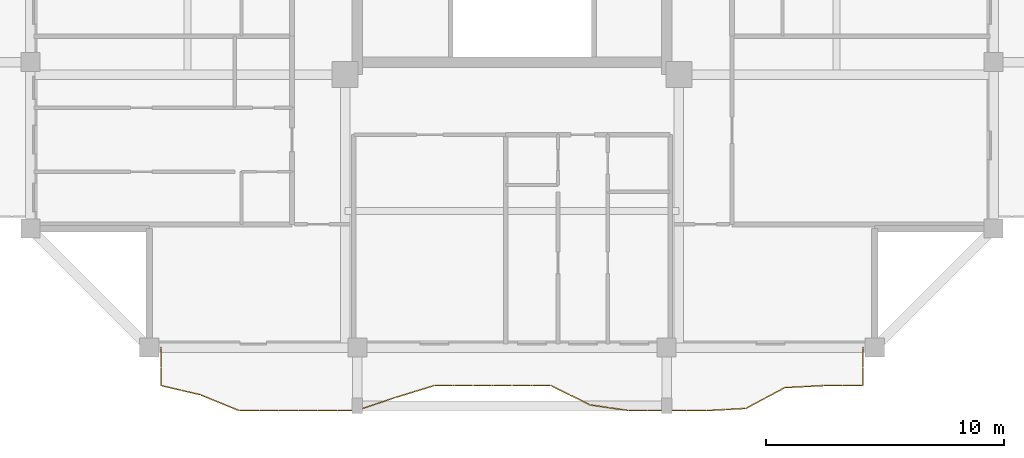
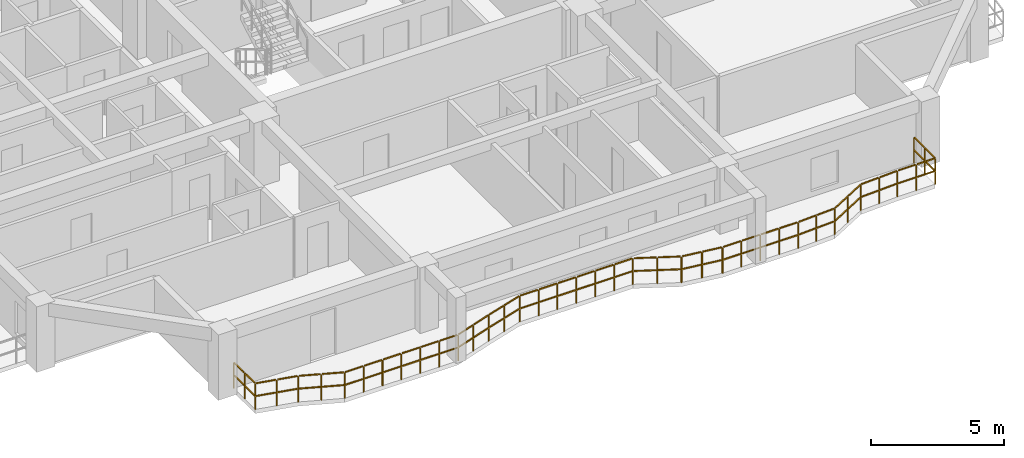
# One storey, part 9 of 13: 1 railing.
"""IFC4 building model written with IfcOpenShell, lengths in metres."""

from ifc_helpers import new_model, si_unit, direction, frame, origin, origin_2d, place, context, subcontext, project, spatial, rectangle, extrude, material, type_object, element, save


model = new_model("IFC4")

# Units and contexts
model_context = context("Model", 3, precision=1e-05, world=origin(), true_north=direction((0.0, 1.0)))
body_context = subcontext(model_context, "Body", "Model", "MODEL_VIEW")
ifc_project = project(units=[si_unit("LENGTHUNIT", "METRE"), si_unit("AREAUNIT", "SQUARE_METRE"), si_unit("VOLUMEUNIT", "CUBIC_METRE"), si_unit("PLANEANGLEUNIT", "RADIAN"), si_unit("MASSUNIT", "GRAM", prefix="KILO")], contexts=[model_context])

# Site, building, storey
site_placement = place(None, origin())
site = spatial("IfcSite", under=ifc_project, at=site_placement, CompositionType="ELEMENT")
building_placement = place(site_placement, origin())
building = spatial("IfcBuilding", under=site, at=building_placement, Name="Saelheon Loggia Tower", CompositionType="ELEMENT")
storey_placement = place(building_placement, frame((0.0, 0.0, 189.699951171875)))
storey = spatial("IfcBuildingStorey", under=building, at=storey_placement, Name="L59", CompositionType="ELEMENT", Elevation=189.699951171875)

# Railing
ifc_material = material(Name="Architectural Precast Concrete and Laminated Glass Guard", Category="concrete")
railing_type = type_object("IfcRailingType", Name="Guard_Loggia_RL_LOG", PredefinedType="BALUSTRADE", material=ifc_material)
railing_placement = place(storey_placement, frame((23.25, 6.0, 0.0)))
element("IfcRailing", 1, at=railing_placement, inside=storey, type_object=railing_type, Name="L59 South Loggia Balustrade", PredefinedType="BALUSTRADE", context=body_context, shape_type="SweptSolid", body=[
    extrude(rectangle(XDim=0.048095703125, YDim=0.048095703125, at=origin_2d()), frame((0.0, -0.033203125, 1.19580078125), z_axis=(0.0, -1.0, 0.0), x_axis=(1.0, 0.0, 0.0)), (0.0, 0.0, 1.0), 0.733642578125),
    extrude(rectangle(XDim=0.048095703125, YDim=0.048095703125, at=origin_2d()), frame((0.0, -0.033203125, 0.60986328125), z_axis=(0.0, -1.0, 0.0), x_axis=(1.0, 0.0, 0.0)), (0.0, 0.0, 1.0), 0.733642578125),
    extrude(rectangle(XDim=0.048095703125, YDim=0.048095703125, at=origin_2d()), frame((0.0, -0.833251953125, 1.19580078125), z_axis=(0.0, -1.0, 0.0), x_axis=(1.0, 0.0, 0.0)), (0.0, 0.0, 1.0), 0.733642578125),
    extrude(rectangle(XDim=0.048095703125, YDim=0.048095703125, at=origin_2d()), frame((0.0, -0.833251953125, 0.60986328125), z_axis=(0.0, -1.0, 0.0), x_axis=(1.0, 0.0, 0.0)), (0.0, 0.0, 1.0), 0.733642578125),
    extrude(rectangle(XDim=0.048095703125, YDim=0.048095703125, at=origin_2d()), frame((0.032470703125, -1.607666015625, 1.19580078125), z_axis=(0.974013237942, -0.226491086612, 0.0), x_axis=(0.226491086612, 0.974013237942, 0.0)), (0.0, 0.0, 1.0), 0.77490234375),
    extrude(rectangle(XDim=0.048095703125, YDim=0.048095703125, at=origin_2d()), frame((0.032470703125, -1.607666015625, 0.60986328125), z_axis=(0.974013237942, -0.226491086612, 0.0), x_axis=(0.226491086612, 0.974013237942, 0.0)), (0.0, 0.0, 1.0), 0.77490234375),
    extrude(rectangle(XDim=0.048095703125, YDim=0.048095703125, at=origin_2d()), frame((0.851806640625, -1.798095703125, 1.19580078125), z_axis=(0.974013237942, -0.226491086612, 0.0), x_axis=(0.226491086612, 0.974013237942, 0.0)), (0.0, 0.0, 1.0), 0.77490234375),
    extrude(rectangle(XDim=0.048095703125, YDim=0.048095703125, at=origin_2d()), frame((0.851806640625, -1.798095703125, 0.60986328125), z_axis=(0.974013237942, -0.226491086612, 0.0), x_axis=(0.226491086612, 0.974013237942, 0.0)), (0.0, 0.0, 1.0), 0.77490234375),
    extrude(rectangle(XDim=0.048095703125, YDim=0.048095703125, at=origin_2d()), frame((1.669677734375, -1.99365234375, 1.19580078125), z_axis=(0.925895892942, -0.377778765197, 0.0), x_axis=(0.377778765197, 0.925895892942, 0.0)), (0.0, 0.0, 1.0), 0.818603515625),
    extrude(rectangle(XDim=0.048095703125, YDim=0.048095703125, at=origin_2d()), frame((1.669677734375, -1.99365234375, 0.60986328125), z_axis=(0.925895892942, -0.377778765197, 0.0), x_axis=(0.377778765197, 0.925895892942, 0.0)), (0.0, 0.0, 1.0), 0.818603515625),
    extrude(rectangle(XDim=0.048095703125, YDim=0.048095703125, at=origin_2d()), frame((2.4892578125, -2.328125, 1.19580078125), z_axis=(0.925895892942, -0.377778765197, 0.0), x_axis=(0.377778765197, 0.925895892942, 0.0)), (0.0, 0.0, 1.0), 0.818603515625),
    extrude(rectangle(XDim=0.048095703125, YDim=0.048095703125, at=origin_2d()), frame((2.4892578125, -2.328125, 0.60986328125), z_axis=(0.925895892942, -0.377778765197, 0.0), x_axis=(0.377778765197, 0.925895892942, 0.0)), (0.0, 0.0, 1.0), 0.818603515625),
    extrude(rectangle(XDim=0.048095703125, YDim=0.048095703125, at=origin_2d()), frame((3.31103515625, -2.64990234375, 1.19580078125), z_axis=(1.0, 0.0, 0.0), x_axis=(0.0, 1.0, 0.0)), (0.0, 0.0, 1.0), 0.7529296875),
    extrude(rectangle(XDim=0.048095703125, YDim=0.048095703125, at=origin_2d()), frame((3.31103515625, -2.64990234375, 0.60986328125), z_axis=(1.0, 0.0, 0.0), x_axis=(0.0, 1.0, 0.0)), (0.0, 0.0, 1.0), 0.7529296875),
    extrude(rectangle(XDim=0.048095703125, YDim=0.048095703125, at=origin_2d()), frame((4.130615234375, -2.64990234375, 1.19580078125), z_axis=(1.0, 0.0, 0.0), x_axis=(0.0, 1.0, 0.0)), (0.0, 0.0, 1.0), 0.7529296875),
    extrude(rectangle(XDim=0.048095703125, YDim=0.048095703125, at=origin_2d()), frame((4.130615234375, -2.64990234375, 0.60986328125), z_axis=(1.0, 0.0, 0.0), x_axis=(0.0, 1.0, 0.0)), (0.0, 0.0, 1.0), 0.7529296875),
    extrude(rectangle(XDim=0.048095703125, YDim=0.048095703125, at=origin_2d()), frame((4.949951171875, -2.64990234375, 1.19580078125), z_axis=(1.0, 0.0, 0.0), x_axis=(0.0, 1.0, 0.0)), (0.0, 0.0, 1.0), 0.7529296875),
    extrude(rectangle(XDim=0.048095703125, YDim=0.048095703125, at=origin_2d()), frame((4.949951171875, -2.64990234375, 0.60986328125), z_axis=(1.0, 0.0, 0.0), x_axis=(0.0, 1.0, 0.0)), (0.0, 0.0, 1.0), 0.7529296875),
    extrude(rectangle(XDim=0.048095703125, YDim=0.048095703125, at=origin_2d()), frame((5.76953125, -2.64990234375, 1.19580078125), z_axis=(1.0, 0.0, 0.0), x_axis=(0.0, 1.0, 0.0)), (0.0, 0.0, 1.0), 0.7529296875),
    extrude(rectangle(XDim=0.048095703125, YDim=0.048095703125, at=origin_2d()), frame((5.76953125, -2.64990234375, 0.60986328125), z_axis=(1.0, 0.0, 0.0), x_axis=(0.0, 1.0, 0.0)), (0.0, 0.0, 1.0), 0.7529296875),
    extrude(rectangle(XDim=0.048095703125, YDim=0.048095703125, at=origin_2d()), frame((6.5888671875, -2.64990234375, 1.19580078125), z_axis=(1.0, 0.0, 0.0), x_axis=(0.0, 1.0, 0.0)), (0.0, 0.0, 1.0), 0.7529296875),
    extrude(rectangle(XDim=0.048095703125, YDim=0.048095703125, at=origin_2d()), frame((6.5888671875, -2.64990234375, 0.60986328125), z_axis=(1.0, 0.0, 0.0), x_axis=(0.0, 1.0, 0.0)), (0.0, 0.0, 1.0), 0.7529296875),
    extrude(rectangle(XDim=0.048095703125, YDim=0.048095703125, at=origin_2d()), frame((7.408203125, -2.64990234375, 1.19580078125), z_axis=(1.0, 0.0, 0.0), x_axis=(0.0, 1.0, 0.0)), (0.0, 0.0, 1.0), 0.7529296875),
    extrude(rectangle(XDim=0.048095703125, YDim=0.048095703125, at=origin_2d()), frame((7.408203125, -2.64990234375, 0.60986328125), z_axis=(1.0, 0.0, 0.0), x_axis=(0.0, 1.0, 0.0)), (0.0, 0.0, 1.0), 0.7529296875),
    extrude(rectangle(XDim=0.048095703125, YDim=0.048095703125, at=origin_2d()), frame((8.225830078125, -2.639404296875, 1.19580078125), z_axis=(0.948881001974, 0.315634035067, 0.0), x_axis=(-0.315634035067, 0.948881001974, 0.0)), (0.0, 0.0, 1.0), 0.797119140625),
    extrude(rectangle(XDim=0.048095703125, YDim=0.048095703125, at=origin_2d()), frame((8.225830078125, -2.639404296875, 0.60986328125), z_axis=(0.948881001974, 0.315634035067, 0.0), x_axis=(-0.315634035067, 0.948881001974, 0.0)), (0.0, 0.0, 1.0), 0.797119140625),
    extrude(rectangle(XDim=0.048095703125, YDim=0.048095703125, at=origin_2d()), frame((9.04541015625, -2.366943359375, 1.19580078125), z_axis=(0.948881001974, 0.315634035067, 0.0), x_axis=(-0.315634035067, 0.948881001974, 0.0)), (0.0, 0.0, 1.0), 0.797119140625),
    extrude(rectangle(XDim=0.048095703125, YDim=0.048095703125, at=origin_2d()), frame((9.04541015625, -2.366943359375, 0.60986328125), z_axis=(0.948881001974, 0.315634035067, 0.0), x_axis=(-0.315634035067, 0.948881001974, 0.0)), (0.0, 0.0, 1.0), 0.797119140625),
    extrude(rectangle(XDim=0.048095703125, YDim=0.048095703125, at=origin_2d()), frame((9.864990234375, -2.094970703125, 1.19580078125), z_axis=(0.955720503255, 0.29427592436, 0.0), x_axis=(-0.29427592436, 0.955720503255, 0.0)), (0.0, 0.0, 1.0), 0.791015625),
    extrude(rectangle(XDim=0.048095703125, YDim=0.048095703125, at=origin_2d()), frame((9.864990234375, -2.094970703125, 0.60986328125), z_axis=(0.955720503255, 0.29427592436, 0.0), x_axis=(-0.29427592436, 0.955720503255, 0.0)), (0.0, 0.0, 1.0), 0.791015625),
    extrude(rectangle(XDim=0.048095703125, YDim=0.048095703125, at=origin_2d()), frame((10.6845703125, -1.842529296875, 1.19580078125), z_axis=(0.955720503255, 0.29427592436, 0.0), x_axis=(-0.29427592436, 0.955720503255, 0.0)), (0.0, 0.0, 1.0), 0.791015625),
    extrude(rectangle(XDim=0.048095703125, YDim=0.048095703125, at=origin_2d()), frame((10.6845703125, -1.842529296875, 0.60986328125), z_axis=(0.955720503255, 0.29427592436, 0.0), x_axis=(-0.29427592436, 0.955720503255, 0.0)), (0.0, 0.0, 1.0), 0.791015625),
    extrude(rectangle(XDim=0.048095703125, YDim=0.048095703125, at=origin_2d()), frame((11.50537109375, -1.60009765625, 1.19580078125), z_axis=(1.0, 0.0, 0.0), x_axis=(0.0, 1.0, 0.0)), (0.0, 0.0, 1.0), 0.7529296875),
    extrude(rectangle(XDim=0.048095703125, YDim=0.048095703125, at=origin_2d()), frame((11.50537109375, -1.60009765625, 0.60986328125), z_axis=(1.0, 0.0, 0.0), x_axis=(0.0, 1.0, 0.0)), (0.0, 0.0, 1.0), 0.7529296875),
    extrude(rectangle(XDim=0.048095703125, YDim=0.048095703125, at=origin_2d()), frame((12.324951171875, -1.60009765625, 1.19580078125), z_axis=(1.0, 0.0, 0.0), x_axis=(0.0, 1.0, 0.0)), (0.0, 0.0, 1.0), 0.7529296875),
    extrude(rectangle(XDim=0.048095703125, YDim=0.048095703125, at=origin_2d()), frame((12.324951171875, -1.60009765625, 0.60986328125), z_axis=(1.0, 0.0, 0.0), x_axis=(0.0, 1.0, 0.0)), (0.0, 0.0, 1.0), 0.7529296875),
    extrude(rectangle(XDim=0.048095703125, YDim=0.048095703125, at=origin_2d()), frame((13.144287109375, -1.60009765625, 1.19580078125), z_axis=(1.0, 0.0, 0.0), x_axis=(0.0, 1.0, 0.0)), (0.0, 0.0, 1.0), 0.7529296875),
    extrude(rectangle(XDim=0.048095703125, YDim=0.048095703125, at=origin_2d()), frame((13.144287109375, -1.60009765625, 0.60986328125), z_axis=(1.0, 0.0, 0.0), x_axis=(0.0, 1.0, 0.0)), (0.0, 0.0, 1.0), 0.7529296875),
    extrude(rectangle(XDim=0.048095703125, YDim=0.048095703125, at=origin_2d()), frame((13.9638671875, -1.60009765625, 1.19580078125), z_axis=(1.0, 0.0, 0.0), x_axis=(0.0, 1.0, 0.0)), (0.0, 0.0, 1.0), 0.7529296875),
    extrude(rectangle(XDim=0.048095703125, YDim=0.048095703125, at=origin_2d()), frame((13.9638671875, -1.60009765625, 0.60986328125), z_axis=(1.0, 0.0, 0.0), x_axis=(0.0, 1.0, 0.0)), (0.0, 0.0, 1.0), 0.7529296875),
    extrude(rectangle(XDim=0.048095703125, YDim=0.048095703125, at=origin_2d()), frame((14.783203125, -1.60009765625, 1.19580078125), z_axis=(1.0, 0.0, 0.0), x_axis=(0.0, 1.0, 0.0)), (0.0, 0.0, 1.0), 0.7529296875),
    extrude(rectangle(XDim=0.048095703125, YDim=0.048095703125, at=origin_2d()), frame((14.783203125, -1.60009765625, 0.60986328125), z_axis=(1.0, 0.0, 0.0), x_axis=(0.0, 1.0, 0.0)), (0.0, 0.0, 1.0), 0.7529296875),
    extrude(rectangle(XDim=0.048095703125, YDim=0.048095703125, at=origin_2d()), frame((15.602783203125, -1.60009765625, 1.19580078125), z_axis=(1.0, 0.0, 0.0), x_axis=(0.0, 1.0, 0.0)), (0.0, 0.0, 1.0), 0.7529296875),
    extrude(rectangle(XDim=0.048095703125, YDim=0.048095703125, at=origin_2d()), frame((15.602783203125, -1.60009765625, 0.60986328125), z_axis=(1.0, 0.0, 0.0), x_axis=(0.0, 1.0, 0.0)), (0.0, 0.0, 1.0), 0.7529296875),
    extrude(rectangle(XDim=0.048095703125, YDim=0.048095703125, at=origin_2d()), frame((16.418701171875, -1.61474609375, 1.19580078125), z_axis=(0.896898457254, -0.442236540073, 0.0), x_axis=(0.442236540073, 0.896898457254, 0.0)), (0.0, 0.0, 1.0), 0.84716796875),
    extrude(rectangle(XDim=0.048095703125, YDim=0.048095703125, at=origin_2d()), frame((16.418701171875, -1.61474609375, 0.60986328125), z_axis=(0.896898457254, -0.442236540073, 0.0), x_axis=(0.442236540073, 0.896898457254, 0.0)), (0.0, 0.0, 1.0), 0.84716796875),
    extrude(rectangle(XDim=0.048095703125, YDim=0.048095703125, at=origin_2d()), frame((17.23828125, -2.018798828125, 1.19580078125), z_axis=(0.896898457254, -0.442236540073, 0.0), x_axis=(0.442236540073, 0.896898457254, 0.0)), (0.0, 0.0, 1.0), 0.84716796875),
    extrude(rectangle(XDim=0.048095703125, YDim=0.048095703125, at=origin_2d()), frame((17.23828125, -2.018798828125, 0.60986328125), z_axis=(0.896898457254, -0.442236540073, 0.0), x_axis=(0.442236540073, 0.896898457254, 0.0)), (0.0, 0.0, 1.0), 0.84716796875),
    extrude(rectangle(XDim=0.048095703125, YDim=0.048095703125, at=origin_2d()), frame((18.060791015625, -2.4130859375, 1.19580078125), z_axis=(0.989299780528, -0.145897033029, 0.0), x_axis=(0.145897033029, 0.989299780528, 0.0)), (0.0, 0.0, 1.0), 0.761962890625),
    extrude(rectangle(XDim=0.048095703125, YDim=0.048095703125, at=origin_2d()), frame((18.060791015625, -2.4130859375, 0.60986328125), z_axis=(0.989299780528, -0.145897033029, 0.0), x_axis=(0.145897033029, 0.989299780528, 0.0)), (0.0, 0.0, 1.0), 0.761962890625),
    extrude(rectangle(XDim=0.048095703125, YDim=0.048095703125, at=origin_2d()), frame((18.880126953125, -2.533935546875, 1.19580078125), z_axis=(0.989299780528, -0.145897033029, 0.0), x_axis=(0.145897033029, 0.989299780528, 0.0)), (0.0, 0.0, 1.0), 0.761962890625),
    extrude(rectangle(XDim=0.048095703125, YDim=0.048095703125, at=origin_2d()), frame((18.880126953125, -2.533935546875, 0.60986328125), z_axis=(0.989299780528, -0.145897033029, 0.0), x_axis=(0.145897033029, 0.989299780528, 0.0)), (0.0, 0.0, 1.0), 0.761962890625),
    extrude(rectangle(XDim=0.048095703125, YDim=0.048095703125, at=origin_2d()), frame((19.699951171875, -2.64990234375, 1.19580078125), z_axis=(1.0, 0.0, 0.0), x_axis=(0.0, 1.0, 0.0)), (0.0, 0.0, 1.0), 0.7529296875),
    extrude(rectangle(XDim=0.048095703125, YDim=0.048095703125, at=origin_2d()), frame((19.699951171875, -2.64990234375, 0.60986328125), z_axis=(1.0, 0.0, 0.0), x_axis=(0.0, 1.0, 0.0)), (0.0, 0.0, 1.0), 0.7529296875),
    extrude(rectangle(XDim=0.048095703125, YDim=0.048095703125, at=origin_2d()), frame((20.51953125, -2.64990234375, 1.19580078125), z_axis=(1.0, 0.0, 0.0), x_axis=(0.0, 1.0, 0.0)), (0.0, 0.0, 1.0), 0.7529296875),
    extrude(rectangle(XDim=0.048095703125, YDim=0.048095703125, at=origin_2d()), frame((20.51953125, -2.64990234375, 0.60986328125), z_axis=(1.0, 0.0, 0.0), x_axis=(0.0, 1.0, 0.0)), (0.0, 0.0, 1.0), 0.7529296875),
    extrude(rectangle(XDim=0.048095703125, YDim=0.048095703125, at=origin_2d()), frame((21.3388671875, -2.64990234375, 1.19580078125), z_axis=(1.0, 0.0, 0.0), x_axis=(0.0, 1.0, 0.0)), (0.0, 0.0, 1.0), 0.7529296875),
    extrude(rectangle(XDim=0.048095703125, YDim=0.048095703125, at=origin_2d()), frame((21.3388671875, -2.64990234375, 0.60986328125), z_axis=(1.0, 0.0, 0.0), x_axis=(0.0, 1.0, 0.0)), (0.0, 0.0, 1.0), 0.7529296875),
    extrude(rectangle(XDim=0.048095703125, YDim=0.048095703125, at=origin_2d()), frame((22.158203125, -2.64990234375, 1.19580078125), z_axis=(1.0, 0.0, 0.0), x_axis=(0.0, 1.0, 0.0)), (0.0, 0.0, 1.0), 0.7529296875),
    extrude(rectangle(XDim=0.048095703125, YDim=0.048095703125, at=origin_2d()), frame((22.158203125, -2.64990234375, 0.60986328125), z_axis=(1.0, 0.0, 0.0), x_axis=(0.0, 1.0, 0.0)), (0.0, 0.0, 1.0), 0.7529296875),
    extrude(rectangle(XDim=0.048095703125, YDim=0.048095703125, at=origin_2d()), frame((22.9775390625, -2.648193359375, 1.19580078125), z_axis=(0.998508934744, 0.054588526598, 0.0), x_axis=(-0.054588526598, 0.998508934744, 0.0)), (0.0, 0.0, 1.0), 0.754150390625),
    extrude(rectangle(XDim=0.048095703125, YDim=0.048095703125, at=origin_2d()), frame((22.9775390625, -2.648193359375, 0.60986328125), z_axis=(0.998508934744, 0.054588526598, 0.0), x_axis=(-0.054588526598, 0.998508934744, 0.0)), (0.0, 0.0, 1.0), 0.754150390625),
    extrude(rectangle(XDim=0.048095703125, YDim=0.048095703125, at=origin_2d()), frame((23.796875, -2.603271484375, 1.19580078125), z_axis=(0.998508934744, 0.054588526598, 0.0), x_axis=(-0.054588526598, 0.998508934744, 0.0)), (0.0, 0.0, 1.0), 0.754150390625),
    extrude(rectangle(XDim=0.048095703125, YDim=0.048095703125, at=origin_2d()), frame((23.796875, -2.603271484375, 0.60986328125), z_axis=(0.998508934744, 0.054588526598, 0.0), x_axis=(-0.054588526598, 0.998508934744, 0.0)), (0.0, 0.0, 1.0), 0.754150390625),
    extrude(rectangle(XDim=0.048095703125, YDim=0.048095703125, at=origin_2d()), frame((24.612548828125, -2.544677734375, 1.19580078125), z_axis=(0.882149151699, 0.47097014147, 0.0), x_axis=(-0.47097014147, 0.882149151699, 0.0)), (0.0, 0.0, 1.0), 0.862548828125),
    extrude(rectangle(XDim=0.048095703125, YDim=0.048095703125, at=origin_2d()), frame((24.612548828125, -2.544677734375, 0.60986328125), z_axis=(0.882149151699, 0.47097014147, 0.0), x_axis=(-0.47097014147, 0.882149151699, 0.0)), (0.0, 0.0, 1.0), 0.862548828125),
    extrude(rectangle(XDim=0.048095703125, YDim=0.048095703125, at=origin_2d()), frame((25.43212890625, -2.107177734375, 1.19580078125), z_axis=(0.882149151699, 0.47097014147, 0.0), x_axis=(-0.47097014147, 0.882149151699, 0.0)), (0.0, 0.0, 1.0), 0.862548828125),
    extrude(rectangle(XDim=0.048095703125, YDim=0.048095703125, at=origin_2d()), frame((25.43212890625, -2.107177734375, 0.60986328125), z_axis=(0.882149151699, 0.47097014147, 0.0), x_axis=(-0.47097014147, 0.882149151699, 0.0)), (0.0, 0.0, 1.0), 0.862548828125),
    extrude(rectangle(XDim=0.048095703125, YDim=0.048095703125, at=origin_2d()), frame((26.25537109375, -1.68359375, 1.19580078125), z_axis=(0.998651321958, 0.051918562694, 0.0), x_axis=(-0.051918562694, 0.998651321958, 0.0)), (0.0, 0.0, 1.0), 0.754150390625),
    extrude(rectangle(XDim=0.048095703125, YDim=0.048095703125, at=origin_2d()), frame((26.25537109375, -1.68359375, 0.60986328125), z_axis=(0.998651321958, 0.051918562694, 0.0), x_axis=(-0.051918562694, 0.998651321958, 0.0)), (0.0, 0.0, 1.0), 0.754150390625),
    extrude(rectangle(XDim=0.048095703125, YDim=0.048095703125, at=origin_2d()), frame((27.07470703125, -1.640869140625, 1.19580078125), z_axis=(0.998651321958, 0.051918562694, 0.0), x_axis=(-0.051918562694, 0.998651321958, 0.0)), (0.0, 0.0, 1.0), 0.754150390625),
    extrude(rectangle(XDim=0.048095703125, YDim=0.048095703125, at=origin_2d()), frame((27.07470703125, -1.640869140625, 0.60986328125), z_axis=(0.998651321958, 0.051918562694, 0.0), x_axis=(-0.051918562694, 0.998651321958, 0.0)), (0.0, 0.0, 1.0), 0.754150390625),
    extrude(rectangle(XDim=0.048095703125, YDim=0.048095703125, at=origin_2d()), frame((27.894287109375, -1.60009765625, 1.19580078125), z_axis=(1.0, 0.0, 0.0), x_axis=(0.0, 1.0, 0.0)), (0.0, 0.0, 1.0), 0.7529296875),
    extrude(rectangle(XDim=0.048095703125, YDim=0.048095703125, at=origin_2d()), frame((27.894287109375, -1.60009765625, 0.60986328125), z_axis=(1.0, 0.0, 0.0), x_axis=(0.0, 1.0, 0.0)), (0.0, 0.0, 1.0), 0.7529296875),
    extrude(rectangle(XDim=0.048095703125, YDim=0.048095703125, at=origin_2d()), frame((28.7138671875, -1.60009765625, 1.19580078125), z_axis=(1.0, 0.0, 0.0), x_axis=(0.0, 1.0, 0.0)), (0.0, 0.0, 1.0), 0.7529296875),
    extrude(rectangle(XDim=0.048095703125, YDim=0.048095703125, at=origin_2d()), frame((28.7138671875, -1.60009765625, 0.60986328125), z_axis=(1.0, 0.0, 0.0), x_axis=(0.0, 1.0, 0.0)), (0.0, 0.0, 1.0), 0.7529296875),
    extrude(rectangle(XDim=0.048095703125, YDim=0.048095703125, at=origin_2d()), frame((29.5, -1.56689453125, 1.19580078125), z_axis=(0.0, 1.0, 0.0), x_axis=(-1.0, 0.0, 0.0)), (0.0, 0.0, 1.0), 0.733642578125),
    extrude(rectangle(XDim=0.048095703125, YDim=0.048095703125, at=origin_2d()), frame((29.5, -1.56689453125, 0.60986328125), z_axis=(0.0, 1.0, 0.0), x_axis=(-1.0, 0.0, 0.0)), (0.0, 0.0, 1.0), 0.733642578125),
    extrude(rectangle(XDim=0.048095703125, YDim=0.048095703125, at=origin_2d()), frame((29.5, -0.766845703125, 1.19580078125), z_axis=(0.0, 1.0, 0.0), x_axis=(-1.0, 0.0, 0.0)), (0.0, 0.0, 1.0), 0.733642578125),
    extrude(rectangle(XDim=0.048095703125, YDim=0.048095703125, at=origin_2d()), frame((29.5, -0.766845703125, 0.60986328125), z_axis=(0.0, 1.0, 0.0), x_axis=(-1.0, 0.0, 0.0)), (0.0, 0.0, 1.0), 0.733642578125),
    extrude(rectangle(XDim=0.0419921875, YDim=0.0419921875, at=origin_2d()), origin(), (0.0, 0.0, 1.0), 1.16796875),
    extrude(rectangle(XDim=0.0419921875, YDim=0.0419921875, at=origin_2d()), frame((0.0, -0.800048828125, 0.0)), (0.0, 0.0, 1.0), 1.16796875),
    extrude(rectangle(XDim=0.0419921875, YDim=0.0419921875, at=origin_2d()), frame((0.0, -1.60009765625, 0.0)), (0.0, 0.0, 1.0), 1.16796875),
    extrude(rectangle(XDim=0.0419921875, YDim=0.0419921875, at=origin_2d()), frame((0.8193359375, -1.79052734375, 0.0)), (0.0, 0.0, 1.0), 1.16796875),
    extrude(rectangle(XDim=0.0419921875, YDim=0.0419921875, at=origin_2d()), frame((1.638916015625, -1.981201171875, 0.0)), (0.0, 0.0, 1.0), 1.16796875),
    extrude(rectangle(XDim=0.0419921875, YDim=0.0419921875, at=origin_2d()), frame((2.45849609375, -2.3154296875, 0.0)), (0.0, 0.0, 1.0), 1.16796875),
    extrude(rectangle(XDim=0.0419921875, YDim=0.0419921875, at=origin_2d()), frame((3.27783203125, -2.64990234375, 0.0)), (0.0, 0.0, 1.0), 1.16796875),
    extrude(rectangle(XDim=0.0419921875, YDim=0.0419921875, at=origin_2d()), frame((4.09716796875, -2.64990234375, 0.0)), (0.0, 0.0, 1.0), 1.16796875),
    extrude(rectangle(XDim=0.0419921875, YDim=0.0419921875, at=origin_2d()), frame((4.916748046875, -2.64990234375, 0.0)), (0.0, 0.0, 1.0), 1.16796875),
    extrude(rectangle(XDim=0.0419921875, YDim=0.0419921875, at=origin_2d()), frame((5.736328125, -2.64990234375, 0.0)), (0.0, 0.0, 1.0), 1.16796875),
    extrude(rectangle(XDim=0.0419921875, YDim=0.0419921875, at=origin_2d()), frame((6.5556640625, -2.64990234375, 0.0)), (0.0, 0.0, 1.0), 1.16796875),
    extrude(rectangle(XDim=0.0419921875, YDim=0.0419921875, at=origin_2d()), frame((7.375, -2.64990234375, 0.0)), (0.0, 0.0, 1.0), 1.16796875),
    extrude(rectangle(XDim=0.0419921875, YDim=0.0419921875, at=origin_2d()), frame((8.1943359375, -2.64990234375, 0.0)), (0.0, 0.0, 1.0), 1.16796875),
    extrude(rectangle(XDim=0.0419921875, YDim=0.0419921875, at=origin_2d()), frame((9.013671875, -2.37744140625, 0.0)), (0.0, 0.0, 1.0), 1.16796875),
    extrude(rectangle(XDim=0.0419921875, YDim=0.0419921875, at=origin_2d()), frame((9.833251953125, -2.104736328125, 0.0)), (0.0, 0.0, 1.0), 1.16796875),
    extrude(rectangle(XDim=0.0419921875, YDim=0.0419921875, at=origin_2d()), frame((10.65283203125, -1.8525390625, 0.0)), (0.0, 0.0, 1.0), 1.16796875),
    extrude(rectangle(XDim=0.0419921875, YDim=0.0419921875, at=origin_2d()), frame((11.47216796875, -1.60009765625, 0.0)), (0.0, 0.0, 1.0), 1.16796875),
    extrude(rectangle(XDim=0.0419921875, YDim=0.0419921875, at=origin_2d()), frame((12.29150390625, -1.60009765625, 0.0)), (0.0, 0.0, 1.0), 1.16796875),
    extrude(rectangle(XDim=0.0419921875, YDim=0.0419921875, at=origin_2d()), frame((13.111083984375, -1.60009765625, 0.0)), (0.0, 0.0, 1.0), 1.16796875),
    extrude(rectangle(XDim=0.0419921875, YDim=0.0419921875, at=origin_2d()), frame((13.9306640625, -1.60009765625, 0.0)), (0.0, 0.0, 1.0), 1.16796875),
    extrude(rectangle(XDim=0.0419921875, YDim=0.0419921875, at=origin_2d()), frame((14.75, -1.60009765625, 0.0)), (0.0, 0.0, 1.0), 1.16796875),
    extrude(rectangle(XDim=0.0419921875, YDim=0.0419921875, at=origin_2d()), frame((15.5693359375, -1.60009765625, 0.0)), (0.0, 0.0, 1.0), 1.16796875),
    extrude(rectangle(XDim=0.0419921875, YDim=0.0419921875, at=origin_2d()), frame((16.388916015625, -1.60009765625, 0.0)), (0.0, 0.0, 1.0), 1.16796875),
    extrude(rectangle(XDim=0.0419921875, YDim=0.0419921875, at=origin_2d()), frame((17.20849609375, -2.004150390625, 0.0)), (0.0, 0.0, 1.0), 1.16796875),
    extrude(rectangle(XDim=0.0419921875, YDim=0.0419921875, at=origin_2d()), frame((18.02783203125, -2.408203125, 0.0)), (0.0, 0.0, 1.0), 1.16796875),
    extrude(rectangle(XDim=0.0419921875, YDim=0.0419921875, at=origin_2d()), frame((18.84716796875, -2.529052734375, 0.0)), (0.0, 0.0, 1.0), 1.16796875),
    extrude(rectangle(XDim=0.0419921875, YDim=0.0419921875, at=origin_2d()), frame((19.666748046875, -2.64990234375, 0.0)), (0.0, 0.0, 1.0), 1.16796875),
    extrude(rectangle(XDim=0.0419921875, YDim=0.0419921875, at=origin_2d()), frame((20.486328125, -2.64990234375, 0.0)), (0.0, 0.0, 1.0), 1.16796875),
    extrude(rectangle(XDim=0.0419921875, YDim=0.0419921875, at=origin_2d()), frame((21.3056640625, -2.64990234375, 0.0)), (0.0, 0.0, 1.0), 1.16796875),
    extrude(rectangle(XDim=0.0419921875, YDim=0.0419921875, at=origin_2d()), frame((22.125, -2.64990234375, 0.0)), (0.0, 0.0, 1.0), 1.16796875),
    extrude(rectangle(XDim=0.0419921875, YDim=0.0419921875, at=origin_2d()), frame((22.9443359375, -2.64990234375, 0.0)), (0.0, 0.0, 1.0), 1.16796875),
    extrude(rectangle(XDim=0.0419921875, YDim=0.0419921875, at=origin_2d()), frame((23.763671875, -2.60498046875, 0.0)), (0.0, 0.0, 1.0), 1.16796875),
    extrude(rectangle(XDim=0.0419921875, YDim=0.0419921875, at=origin_2d()), frame((24.583251953125, -2.560302734375, 0.0)), (0.0, 0.0, 1.0), 1.16796875),
    extrude(rectangle(XDim=0.0419921875, YDim=0.0419921875, at=origin_2d()), frame((25.40283203125, -2.122802734375, 0.0)), (0.0, 0.0, 1.0), 1.16796875),
    extrude(rectangle(XDim=0.0419921875, YDim=0.0419921875, at=origin_2d()), frame((26.22216796875, -1.685302734375, 0.0)), (0.0, 0.0, 1.0), 1.16796875),
    extrude(rectangle(XDim=0.0419921875, YDim=0.0419921875, at=origin_2d()), frame((27.04150390625, -1.642578125, 0.0)), (0.0, 0.0, 1.0), 1.16796875),
    extrude(rectangle(XDim=0.0419921875, YDim=0.0419921875, at=origin_2d()), frame((27.861083984375, -1.60009765625, 0.0)), (0.0, 0.0, 1.0), 1.16796875),
    extrude(rectangle(XDim=0.0419921875, YDim=0.0419921875, at=origin_2d()), frame((28.6806640625, -1.60009765625, 0.0)), (0.0, 0.0, 1.0), 1.16796875),
    extrude(rectangle(XDim=0.0419921875, YDim=0.0419921875, at=origin_2d()), frame((29.5, -1.60009765625, 0.0)), (0.0, 0.0, 1.0), 1.16796875),
    extrude(rectangle(XDim=0.0419921875, YDim=0.0419921875, at=origin_2d()), frame((29.5, -0.800048828125, 0.0)), (0.0, 0.0, 1.0), 1.16796875),
    extrude(rectangle(XDim=0.0419921875, YDim=0.0419921875, at=origin_2d()), frame((29.5, 0.0, 0.0)), (0.0, 0.0, 1.0), 1.16796875),
])

save(model, "model.ifc")
